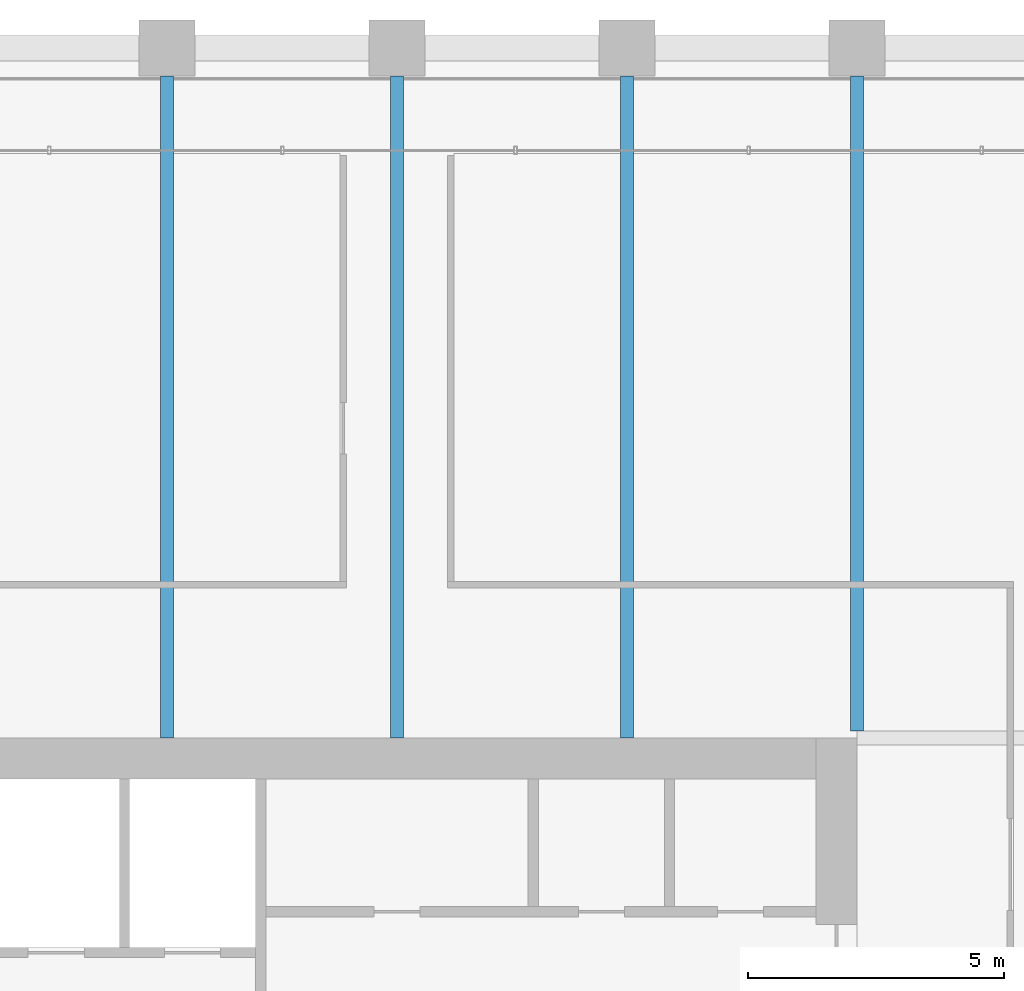
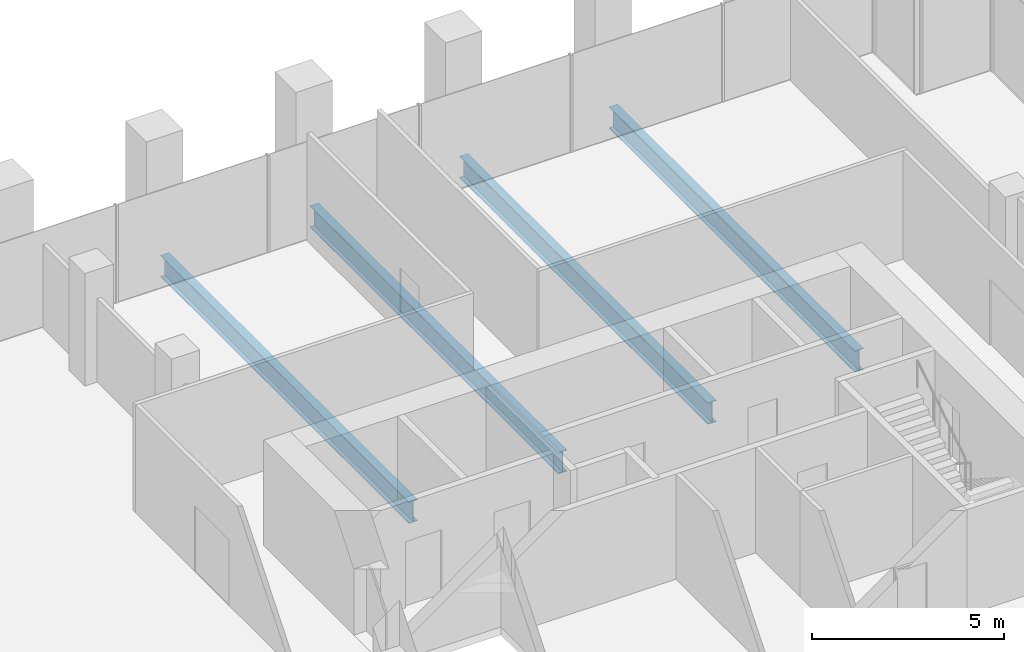
# One storey, part 28 of 54: 4 beams.
"""IFC4 building model written with IfcOpenShell, lengths in metres."""

from ifc_helpers import new_model, si_unit, direction, frame, origin, origin_2d, place, context, subcontext, project, spatial, i_section, extrude, material, material_profile, profile_set, type_object, element, save


model = new_model("IFC4")

# Units and contexts
model_context = context("Model", 3, precision=1e-05, world=origin(), true_north=direction((0.0, 1.0)))
body_context = subcontext(model_context, "Body", "Model", "MODEL_VIEW")
ifc_project = project(units=[si_unit("LENGTHUNIT", "METRE"), si_unit("AREAUNIT", "SQUARE_METRE"), si_unit("VOLUMEUNIT", "CUBIC_METRE"), si_unit("PLANEANGLEUNIT", "RADIAN"), si_unit("MASSUNIT", "GRAM", prefix="KILO")], contexts=[model_context])

# Site, building, storey
site_placement = place(None, origin())
site = spatial("IfcSite", under=ifc_project, at=site_placement, CompositionType="ELEMENT")
building_placement = place(site_placement, origin())
building = spatial("IfcBuilding", under=site, at=building_placement, Name="Altepetl Exchange Towers", CompositionType="ELEMENT")
storey_placement = place(building_placement, frame((0.0, 0.0, 65.39990234375)))
storey = spatial("IfcBuildingStorey", under=building, at=storey_placement, Name="L15", CompositionType="ELEMENT", Elevation=65.39990234375)

# Beams
ifc_material = material(Name="Steel S355", Category="steel")
ifc_material_profile = material_profile(ifc_material, i_section(OverallWidth=0.25390625, OverallDepth=0.68408203125, WebThickness=0.012451171875, FlangeThickness=0.018798828125, at=origin_2d()), Name="W27X94")
ifc_profile_set = profile_set([ifc_material_profile], Name="Steel S355")
beam_type = type_object("IfcBeamType", Name="Floor beam W27X94", PredefinedType="BEAM", material=ifc_profile_set)
for number, where, z_axis, x_axis, name in (
    (1, (45.0, 58.5, -0.491943359375), (0.0, 1.0, 0.0), (-1.0, 0.0, 0.0), "bm:A:L15:000"),
    (2, (49.5, 58.5, -0.491943359375), (0.0, 1.0, 0.0), (-1.0, 0.0, 0.0), "bm:A:L15:001"),
    (3, (54.0, 58.5, -0.491943359375), (0.0, 1.0, 0.0), (-1.0, 0.0, 0.0), "bm:A:L15:002"),
):
    element("IfcBeam", number, at=place(storey_placement, frame(where, z_axis=z_axis, x_axis=x_axis)), inside=storey, type_object=beam_type, Name=name, PredefinedType="BEAM", context=body_context, shape_type="SweptSolid", body=[
        extrude(i_section(OverallWidth=0.25390625, OverallDepth=0.68408203125, WebThickness=0.012451171875, FlangeThickness=0.018798828125, at=origin_2d()), origin(), (0.0, 0.0, 1.0), 12.949951171875),
    ])
beam_placement = place(storey_placement, frame((58.5, 58.634033203125, -0.491943359375), z_axis=(0.0, 1.0, 0.0), x_axis=(-1.0, 0.0, 0.0)))
element("IfcBeam", 4, at=beam_placement, inside=storey, type_object=beam_type, Name="bm:A:L15:003", PredefinedType="BEAM", context=body_context, shape_type="SweptSolid", body=[
    extrude(i_section(OverallWidth=0.25390625, OverallDepth=0.68408203125, WebThickness=0.012451171875, FlangeThickness=0.018798828125, at=origin_2d()), origin(), (0.0, 0.0, 1.0), 12.81591796875),
])

save(model, "model.ifc")
